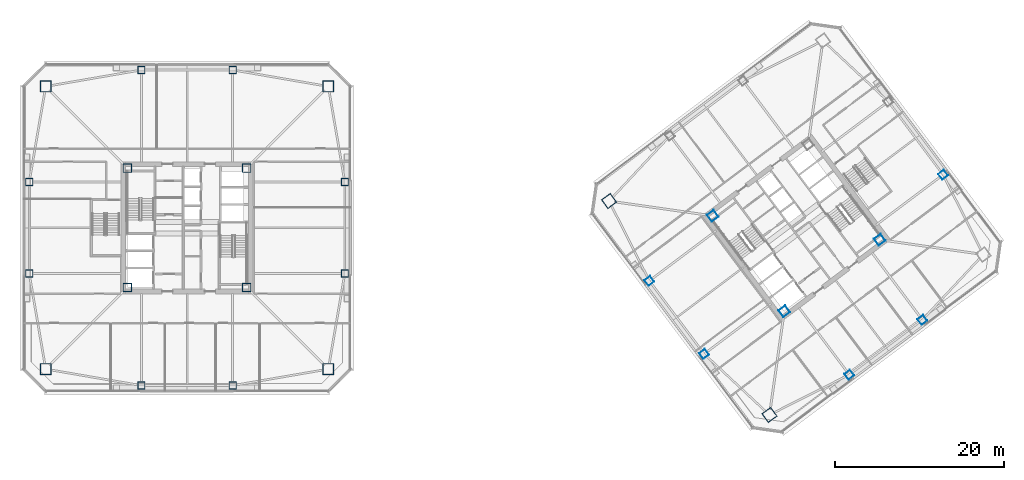
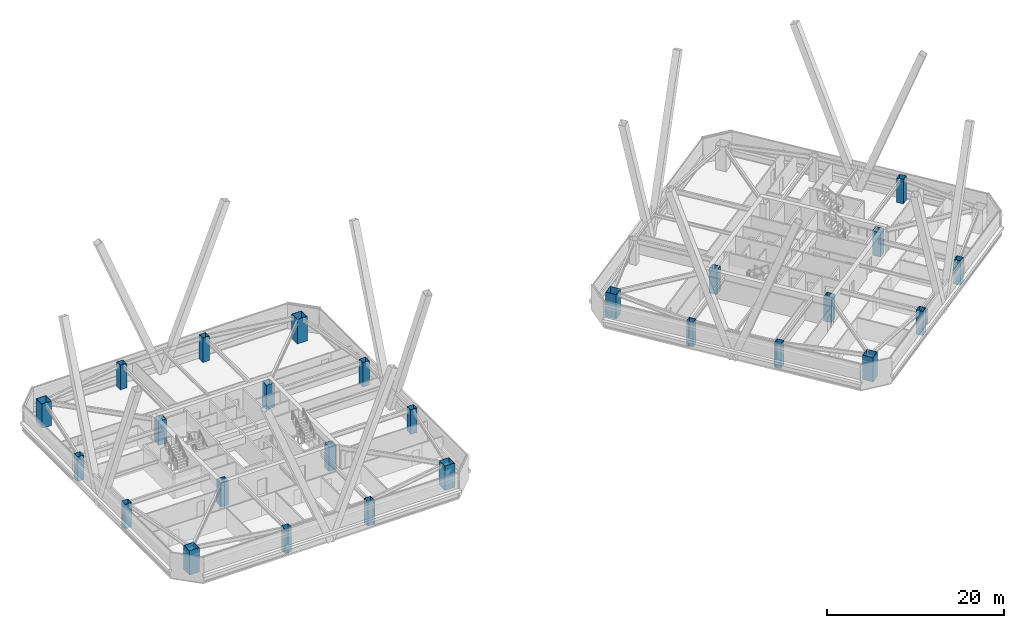
# One storey, part 1 of 50: 26 columns.
"""IFC4 building model written with IfcOpenShell, lengths in metres."""

from ifc_helpers import new_model, si_unit, direction, frame, origin, origin_2d, place, context, subcontext, project, spatial, hollow_rectangle, extrude, material, material_profile, profile_set, type_object, element, save


model = new_model("IFC4")

# Units and contexts
model_context = context("Model", 3, precision=1e-05, world=origin(), true_north=direction((0.0, 1.0)))
body_context = subcontext(model_context, "Body", "Model", "MODEL_VIEW")
ifc_project = project(units=[si_unit("LENGTHUNIT", "METRE"), si_unit("AREAUNIT", "SQUARE_METRE"), si_unit("VOLUMEUNIT", "CUBIC_METRE"), si_unit("PLANEANGLEUNIT", "RADIAN"), si_unit("MASSUNIT", "GRAM", prefix="KILO")], contexts=[model_context])

# Site, building, storey
site_placement = place(None, origin())
site = spatial("IfcSite", under=ifc_project, at=site_placement, CompositionType="ELEMENT")
building_placement = place(site_placement, origin())
building = spatial("IfcBuilding", under=site, at=building_placement, Name="Tashvorn Skyway Center", CompositionType="ELEMENT")
storey_placement = place(building_placement, frame((0.0, 0.0, 114.39990234375)))
storey = spatial("IfcBuildingStorey", under=building, at=storey_placement, Name="L30", CompositionType="ELEMENT", Elevation=114.39990234375)

# Columns
ifc_material = material(Name="Steel ASTM A572 Grade 50", Category="steel")
ifc_material_profile_1 = material_profile(ifc_material, hollow_rectangle(XDim=1.0, YDim=1.0, WallThickness=0.0400390625, at=origin_2d()), Name="BOX1000x1000x40")
ifc_profile_set_1 = profile_set([ifc_material_profile_1], Name="Steel ASTM A572 Grade 50")
column_type_1 = type_object("IfcColumnType", Name="COL-BOX1000x1000x40", PredefinedType="COLUMN", material=ifc_profile_set_1)
for number, where, z_axis, x_axis, name in (
    (1, (34.949951171875, 24.949951171875, 0.0), (0.0, 0.0, 1.0), (1.0, 0.0, 0.0), "Tower 1 L30 Core Corner Column CC-SW"),
    (2, (49.050048828125, 24.949951171875, 0.0), (0.0, 0.0, 1.0), (1.0, 0.0, 0.0), "Tower 1 L30 Core Corner Column CC-SE"),
    (3, (49.050048828125, 39.050048828125, 0.0), (0.0, 0.0, 1.0), (1.0, 0.0, 0.0), "Tower 1 L30 Core Corner Column CC-NE"),
    (4, (34.949951171875, 39.050048828125, 0.0), (0.0, 0.0, 1.0), (1.0, 0.0, 0.0), "Tower 1 L30 Core Corner Column CC-NW"),
    (5, (112.590087890625, 22.1298828125, 0.0), (0.0, 0.0, 1.0), (0.799999996291, 0.600000004945, 0.0), "Tower 2 L30 Core Corner Column CC-SW"),
    (6, (123.8701171875, 30.590087890625, 0.0), (0.0, 0.0, 1.0), (0.799999996291, 0.600000004945, 0.0), "Tower 2 L30 Core Corner Column CC-SE"),
    (7, (104.1298828125, 33.409912109375, 0.0), (0.0, 0.0, 1.0), (0.799999996291, 0.600000004945, 0.0), "Tower 2 L30 Core Corner Column CC-NW"),
):
    element("IfcColumn", number, at=place(storey_placement, frame(where, z_axis=z_axis, x_axis=x_axis)), inside=storey, type_object=column_type_1, Name=name, PredefinedType="COLUMN", context=body_context, shape_type="SweptSolid", body=[
        extrude(hollow_rectangle(XDim=1.0, YDim=1.0, WallThickness=0.0400390625, at=origin_2d()), origin(), (0.0, 0.0, 1.0), 3.3701171875),
    ])
ifc_material_profile_2 = material_profile(ifc_material, hollow_rectangle(XDim=1.300048828125, YDim=1.300048828125, WallThickness=0.050048828125, at=origin_2d()), Name="BOX1300x1300x50")
ifc_profile_set_2 = profile_set([ifc_material_profile_2], Name="Steel ASTM A572 Grade 50")
column_type_2 = type_object("IfcColumnType", Name="COL-BOX1300x1300x50", PredefinedType="COLUMN", material=ifc_profile_set_2)
for number, where, z_axis, x_axis, name in (
    (8, (25.300048828125, 15.300048828125, 0.0), (0.0, 0.0, 1.0), (1.0, 0.0, 0.0), "Tower 1 L30 Mega-Column MC-SW"),
    (9, (58.699951171875, 15.300048828125, 0.0), (0.0, 0.0, 1.0), (1.0, 0.0, 0.0), "Tower 1 L30 Mega-Column MC-SE"),
    (10, (58.699951171875, 48.699951171875, 0.0), (0.0, 0.0, 1.0), (1.0, 0.0, 0.0), "Tower 1 L30 Mega-Column MC-NE"),
    (11, (25.300048828125, 48.699951171875, 0.0), (0.0, 0.0, 1.0), (1.0, 0.0, 0.0), "Tower 1 L30 Mega-Column MC-NW"),
    (12, (110.840087890625, 9.8798828125, 0.0), (0.0, 0.0, 1.0), (0.799999996291, 0.600000004945, 0.0), "Tower 2 L30 Mega-Column MC-SW"),
    (13, (91.8798828125, 35.159912109375, 0.0), (0.0, 0.0, 1.0), (0.799999996291, 0.600000004945, 0.0), "Tower 2 L30 Mega-Column MC-NW"),
):
    element("IfcColumn", number, at=place(storey_placement, frame(where, z_axis=z_axis, x_axis=x_axis)), inside=storey, type_object=column_type_2, Name=name, PredefinedType="COLUMN", context=body_context, shape_type="SweptSolid", body=[
        extrude(hollow_rectangle(XDim=1.300048828125, YDim=1.300048828125, WallThickness=0.050048828125, at=origin_2d()), origin(), (0.0, 0.0, 1.0), 3.3701171875),
    ])
ifc_material_profile_3 = material_profile(ifc_material, hollow_rectangle(XDim=0.85009765625, YDim=0.85009765625, WallThickness=0.034912109375, at=origin_2d()), Name="BOX850x850x35")
ifc_profile_set_3 = profile_set([ifc_material_profile_3], Name="Steel ASTM A572 Grade 50")
column_type_3 = type_object("IfcColumnType", Name="COL-BOX850x850x35", PredefinedType="COLUMN", material=ifc_profile_set_3)
for number, where, z_axis, x_axis, name in (
    (14, (36.60009765625, 13.35009765625, 0.0), (0.0, 0.0, 1.0), (1.0, 0.0, 0.0), "Tower 1 L30 Perimeter Column FC-S1"),
    (15, (47.39990234375, 13.35009765625, 0.0), (0.0, 0.0, 1.0), (1.0, 0.0, 0.0), "Tower 1 L30 Perimeter Column FC-S2"),
    (16, (60.64990234375, 26.60009765625, 0.0), (0.0, 0.0, 1.0), (1.0, 0.0, 0.0), "Tower 1 L30 Perimeter Column FC-E1"),
    (17, (60.64990234375, 37.39990234375, 0.0), (0.0, 0.0, 1.0), (1.0, 0.0, 0.0), "Tower 1 L30 Perimeter Column FC-E2"),
    (18, (47.39990234375, 50.64990234375, 0.0), (0.0, 0.0, 1.0), (1.0, 0.0, 0.0), "Tower 1 L30 Perimeter Column FC-N1"),
    (19, (36.60009765625, 50.64990234375, 0.0), (0.0, 0.0, 1.0), (1.0, 0.0, 0.0), "Tower 1 L30 Perimeter Column FC-N2"),
    (20, (23.35009765625, 37.39990234375, 0.0), (0.0, 0.0, 1.0), (1.0, 0.0, 0.0), "Tower 1 L30 Perimeter Column FC-W1"),
    (21, (23.35009765625, 26.60009765625, 0.0), (0.0, 0.0, 1.0), (1.0, 0.0, 0.0), "Tower 1 L30 Perimeter Column FC-W2"),
    (22, (120.27001953125, 14.639892578125, 0.0), (0.0, 0.0, 1.0), (0.799999996291, 0.600000004945, 0.0), "Tower 2 L30 Perimeter Column FC-S1"),
    (23, (128.909912109375, 21.1201171875, 0.0), (0.0, 0.0, 1.0), (0.799999996291, 0.600000004945, 0.0), "Tower 2 L30 Perimeter Column FC-S2"),
    (24, (131.360107421875, 38.27001953125, 0.0), (0.0, 0.0, 1.0), (0.799999996291, 0.600000004945, 0.0), "Tower 2 L30 Perimeter Column FC-E1"),
    (25, (96.639892578125, 25.72998046875, 0.0), (0.0, 0.0, 1.0), (0.799999996291, 0.600000004945, 0.0), "Tower 2 L30 Perimeter Column FC-W1"),
    (26, (103.1201171875, 17.090087890625, 0.0), (0.0, 0.0, 1.0), (0.799999996291, 0.600000004945, 0.0), "Tower 2 L30 Perimeter Column FC-W2"),
):
    element("IfcColumn", number, at=place(storey_placement, frame(where, z_axis=z_axis, x_axis=x_axis)), inside=storey, type_object=column_type_3, Name=name, PredefinedType="COLUMN", context=body_context, shape_type="SweptSolid", body=[
        extrude(hollow_rectangle(XDim=0.85009765625, YDim=0.85009765625, WallThickness=0.034912109375, at=origin_2d()), origin(), (0.0, 0.0, 1.0), 3.3701171875),
    ])

save(model, "model.ifc")
